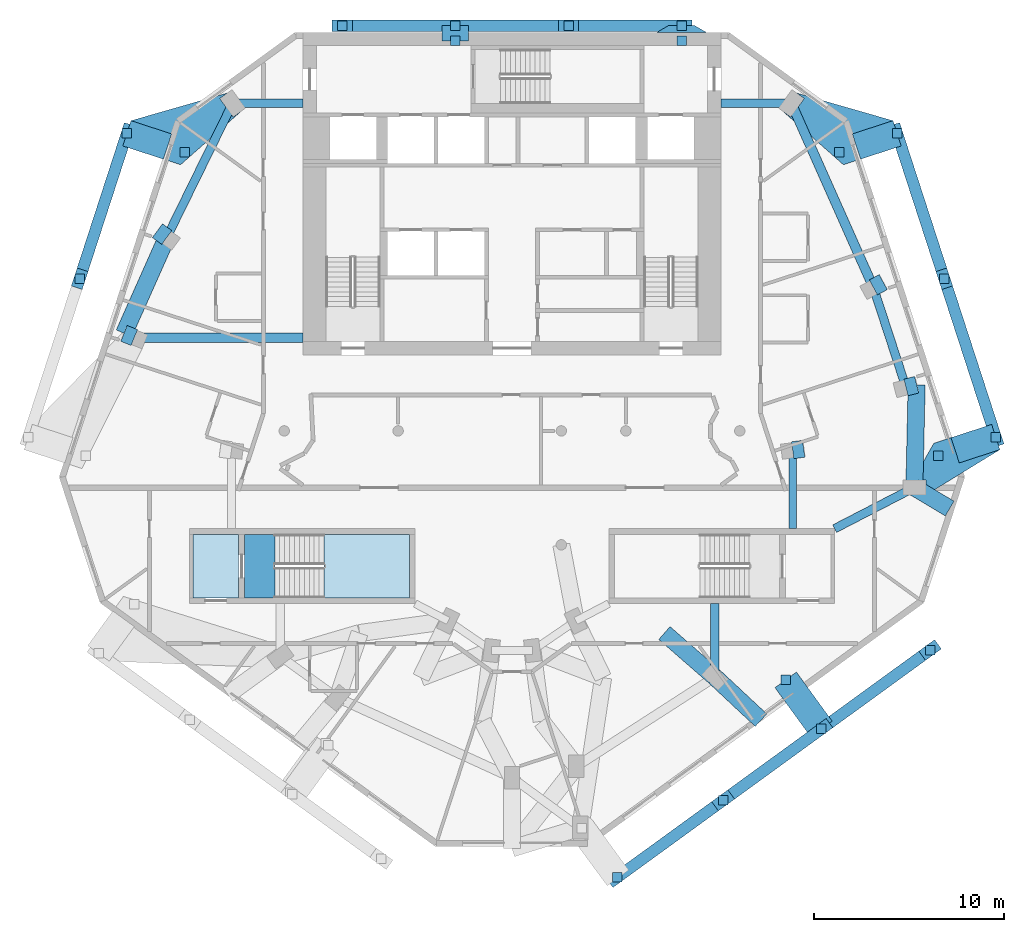
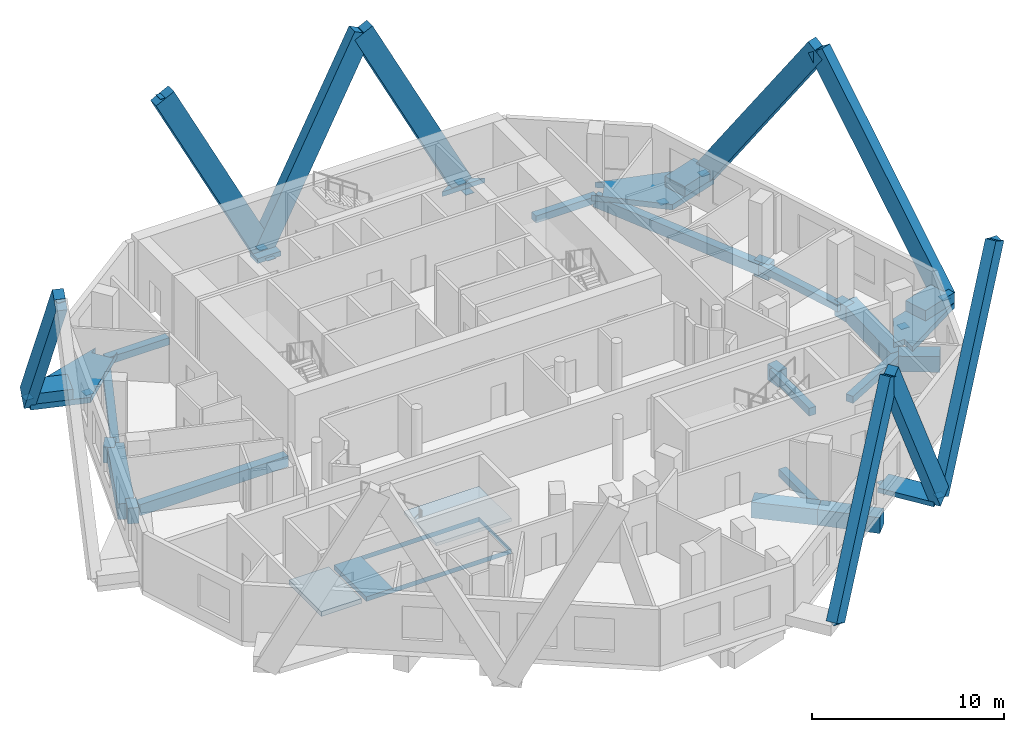
# One storey, part 2 of 10: 19 beams, 19 discrete accessories, 18 members, 3 slabs, 1 element without a shape of its own.
"""IFC4 building model written with IfcOpenShell, lengths in metres."""

from ifc_helpers import new_model, si_unit, direction, frame, origin, origin_2d, place, context, subcontext, project, spatial, polyline, rectangle, outline, extrude, material, layer, layer_set, material_profile, profile_set, type_object, element, aggregate, save


model = new_model("IFC4")

# Units and contexts
model_context = context("Model", 3, precision=1e-05, world=origin(), true_north=direction((0.0, 1.0)))
body_context = subcontext(model_context, "Body", "Model", "MODEL_VIEW")
ifc_project = project(units=[si_unit("LENGTHUNIT", "METRE"), si_unit("AREAUNIT", "SQUARE_METRE"), si_unit("VOLUMEUNIT", "CUBIC_METRE"), si_unit("PLANEANGLEUNIT", "RADIAN"), si_unit("MASSUNIT", "GRAM", prefix="KILO")], contexts=[model_context])

# Site, building, storey
site_placement = place(None, origin())
site = spatial("IfcSite", under=ifc_project, at=site_placement, CompositionType="ELEMENT")
building_placement = place(site_placement, origin())
building = spatial("IfcBuilding", under=site, at=building_placement, Name="White Candle Pilgrim Tower", CompositionType="ELEMENT")
storey_placement = place(building_placement, frame((0.0, 0.0, 248.300048828125)))
storey = spatial("IfcBuildingStorey", under=building, at=storey_placement, Name="L58", CompositionType="ELEMENT", Elevation=248.300048828125)

# Member
ifc_material_1 = material(Name="Concrete C60/75, white", Category="concrete")
ifc_material_profile_1 = material_profile(ifc_material_1, rectangle(XDim=0.60009765625, YDim=1.199951171875, at=origin_2d()), Name="RC-DG 600x1200")
ifc_profile_set_1 = profile_set([ifc_material_profile_1], Name="Concrete C60/75, white")
member_type_1 = type_object("IfcMemberType", Name="Exoskeleton diagonal RC-DG 600x1200 C60/75", PredefinedType="BRACE", material=ifc_profile_set_1)
member_1_placement = place(storey_placement, frame((78.93701171875, 88.35009765625, 0.0), z_axis=(-0.453783992732, 0.0, 0.891111714624), x_axis=(0.0, -1.0, 0.0)))
member_1 = element("IfcMember", 1, at=member_1_placement, inside=storey, type_object=member_type_1, Name="Exoskeleton diagonal EX241", PredefinedType="BRACE", context=body_context, shape_type="SweptSolid", body=[
    extrude(rectangle(XDim=0.60009765625, YDim=1.199951171875, at=origin_2d()), origin(), (0.0, 0.0, 1.0), 13.129638671875),
])

member_2_placement = place(storey_placement, frame((67.02099609375, 88.35009765625, 0.0), z_axis=(0.453783992732, 0.0, 0.891111714624), x_axis=(0.0, 1.0, 0.0)))
member_2 = element("IfcMember", 2, at=member_2_placement, inside=storey, type_object=member_type_1, Name="Exoskeleton diagonal EX242", PredefinedType="BRACE", context=body_context, shape_type="SweptSolid", body=[
    extrude(rectangle(XDim=0.60009765625, YDim=1.199951171875, at=origin_2d()), origin(), (0.0, 0.0, 1.0), 13.129638671875),
])

member_3_placement = place(storey_placement, frame((67.02099609375, 88.35009765625, 0.0), z_axis=(-0.453783992732, 0.0, 0.891111714624), x_axis=(0.0, -1.0, 0.0)))
member_3 = element("IfcMember", 3, at=member_3_placement, inside=storey, type_object=member_type_1, Name="Exoskeleton diagonal EX243", PredefinedType="BRACE", context=body_context, shape_type="SweptSolid", body=[
    extrude(rectangle(XDim=0.60009765625, YDim=1.199951171875, at=origin_2d()), origin(), (0.0, 0.0, 1.0), 13.129638671875),
])

member_4_placement = place(storey_placement, frame((95.488525390625, 66.675537109375, 0.0), z_axis=(-0.185370872025, 0.570504194179, 0.800101621189), x_axis=(-0.951055133428, -0.309021250372, 0.0)))
member_4 = element("IfcMember", 4, at=member_4_placement, inside=storey, type_object=member_type_1, Name="Exoskeleton diagonal EX253", PredefinedType="BRACE", context=body_context, shape_type="SweptSolid", body=[
    extrude(rectangle(XDim=0.60009765625, YDim=1.199951171875, at=origin_2d()), origin(), (0.0, 0.0, 1.0), 14.623046875),
])

member_5_placement = place(storey_placement, frame((90.288818359375, 82.678955078125, 0.0), z_axis=(0.175224760425, -0.539321015926, 0.823668091597), x_axis=(0.951062351894, 0.308999033671, 0.0)))
member_5 = element("IfcMember", 5, at=member_5_placement, inside=storey, type_object=member_type_1, Name="Exoskeleton diagonal EX254", PredefinedType="BRACE", context=body_context, shape_type="SweptSolid", body=[
    extrude(rectangle(XDim=0.60009765625, YDim=1.199951171875, at=origin_2d()), origin(), (0.0, 0.0, 1.0), 14.20458984375),
])

member_6_placement = place(storey_placement, frame((75.556640625, 43.488525390625, 0.449951171875), z_axis=(0.422157295588, 0.306732337774, 0.853052454862), x_axis=(-0.58780671138, 0.809001403, 0.0)))
member_6 = element("IfcMember", 6, at=member_6_placement, inside=storey, type_object=member_type_1, Name="Exoskeleton diagonal EX261", PredefinedType="BRACE", context=body_context, shape_type="SweptSolid", body=[
    extrude(rectangle(XDim=0.60009765625, YDim=1.199951171875, at=origin_2d()), origin(), (0.0, 0.0, 1.0), 13.18798828125),
])

member_7_placement = place(storey_placement, frame((86.302001953125, 51.295654296875, 0.0), z_axis=(-0.388266600008, -0.282087794782, 0.877311531529), x_axis=(0.587779248456, -0.809021356383, 0.0)))
member_7 = element("IfcMember", 7, at=member_7_placement, inside=storey, type_object=member_type_1, Name="Exoskeleton diagonal EX262", PredefinedType="BRACE", context=body_context, shape_type="SweptSolid", body=[
    extrude(rectangle(XDim=0.60009765625, YDim=1.199951171875, at=origin_2d()), origin(), (0.0, 0.0, 1.0), 13.336181640625),
])

member_8_placement = place(storey_placement, frame((86.302001953125, 51.295654296875, 0.0), z_axis=(0.418698213465, 0.304194518669, 0.855662024898), x_axis=(-0.587775716914, 0.809023922147, 0.0)))
member_8 = element("IfcMember", 8, at=member_8_placement, inside=storey, type_object=member_type_1, Name="Exoskeleton diagonal EX263", PredefinedType="BRACE", context=body_context, shape_type="SweptSolid", body=[
    extrude(rectangle(XDim=0.60009765625, YDim=1.199951171875, at=origin_2d()), origin(), (0.0, 0.0, 1.0), 13.673583984375),
])

member_9_placement = place(storey_placement, frame((49.711181640625, 82.678955078125, 0.0), z_axis=(-0.175224760425, -0.539321015926, 0.823668091597), x_axis=(0.951062351894, -0.308999033671, 0.0)))
member_9 = element("IfcMember", 9, at=member_9_placement, inside=storey, type_object=member_type_1, Name="Exoskeleton diagonal EX285", PredefinedType="BRACE", context=body_context, shape_type="SweptSolid", body=[
    extrude(rectangle(XDim=0.60009765625, YDim=1.199951171875, at=origin_2d()), origin(), (0.0, 0.0, 1.0), 14.20458984375),
])

ifc_material_2 = material(Name="Concrete C70/85, white", Category="concrete")
ifc_layer_1 = layer(ifc_material_2, 0.300048828125)
ifc_layer_set_1 = layer_set([ifc_layer_1], Name="Node tie strut 3200x1400x300 C70/85")
member_type_2 = type_object("IfcMemberType", Name="Node tie strut 3200x1400x300 C70/85", PredefinedType="STRUT", material=ifc_layer_set_1)
member_10_placement = place(storey_placement, frame((0.0, 0.0, -0.35009765625)))
member_10 = element("IfcMember", 10, at=member_10_placement, inside=storey, type_object=member_type_2, Name="Node tie strut NC202", PredefinedType="STRUT", context=body_context, shape_type="SweptSolid", body=[
    extrude(outline(polyline([(91.80029296875, 63.62060546875), (95.704833984375, 66.009765625), (95.272216796875, 67.34130859375), (92.22900390625, 66.352294921875), (91.12646484375, 64.419921875), (91.7998046875, 64.42041015625), (91.80029296875, 63.62060546875)])), origin(), (0.0, 0.0, 1.0), 0.35009765625),
])

member_11_placement = place(storey_placement, origin())
element("IfcMember", 11, at=member_11_placement, inside=storey, type_object=member_type_2, Name="Node tie strut NC202", PredefinedType="STRUT", context=body_context, shape_type="SweptSolid", body=[
    extrude(outline(polyline([(93.56494140625, 65.314453125), (95.704833984375, 66.009765625), (95.272216796875, 67.34130859375), (93.13232421875, 66.64599609375), (93.56494140625, 65.314453125)])), origin(), (0.0, 0.0, 1.0), 0.64990234375),
])

member_12_placement = place(storey_placement, frame((0.0, 0.0, -0.35009765625)))
member_12 = element("IfcMember", 12, at=member_12_placement, inside=storey, type_object=member_type_2, Name="Node tie strut NC203", PredefinedType="STRUT", context=body_context, shape_type="SweptSolid", body=[
    extrude(outline(polyline([(87.461669921875, 81.0244140625), (90.5048828125, 82.01318359375), (90.072509765625, 83.3447265625), (84.991455078125, 84.804443359375), (85.396240234375, 84.51025390625), (84.69091796875, 83.53955078125), (84.22998046875, 83.874267578125), (87.461669921875, 81.0244140625)])), origin(), (0.0, 0.0, 1.0), 0.35009765625),
])

member_13_placement = place(storey_placement, origin())
element("IfcMember", 13, at=member_13_placement, inside=storey, type_object=member_type_2, Name="Node tie strut NC203", PredefinedType="STRUT", context=body_context, shape_type="SweptSolid", body=[
    extrude(outline(polyline([(88.365234375, 81.318115234375), (90.5048828125, 82.01318359375), (90.072509765625, 83.3447265625), (87.9326171875, 82.6494140625), (88.365234375, 81.318115234375)])), origin(), (0.0, 0.0, 1.0), 0.64990234375),
])

member_14_placement = place(storey_placement, frame((85.361328125, 52.590087890625, -0.30029296875), z_axis=(0.0, 0.0, 1.0), x_axis=(0.809016994375, 0.587785252292, 0.0)))
member_14 = element("IfcMember", 14, at=member_14_placement, inside=storey, type_object=member_type_2, Name="Node tie strut NC207", PredefinedType="STRUT", context=body_context, shape_type="SweptSolid", body=[
    extrude(rectangle(XDim=1.39990234375, YDim=3.199951171875, at=origin_2d()), origin(), (0.0, 0.0, 1.0), 0.300048828125),
])

member_15_placement = place(storey_placement, frame((0.0, 0.0, -0.35009765625)))
member_15 = element("IfcMember", 15, at=member_15_placement, inside=storey, type_object=member_type_2, Name="Node tie strut NC211", PredefinedType="STRUT", context=body_context, shape_type="SweptSolid", body=[
    extrude(outline(polyline([(52.538330078125, 81.0244140625), (55.77001953125, 83.874267578125), (55.30908203125, 83.53955078125), (54.603759765625, 84.51025390625), (55.008544921875, 84.804443359375), (49.927490234375, 83.3447265625), (49.4951171875, 82.01318359375), (52.538330078125, 81.0244140625)])), origin(), (0.0, 0.0, 1.0), 0.35009765625),
])

member_16_placement = place(storey_placement, origin())
element("IfcMember", 16, at=member_16_placement, inside=storey, type_object=member_type_2, Name="Node tie strut NC211", PredefinedType="STRUT", context=body_context, shape_type="SweptSolid", body=[
    extrude(outline(polyline([(51.634765625, 81.318115234375), (52.0673828125, 82.6494140625), (49.927490234375, 83.3447265625), (49.4951171875, 82.01318359375), (51.634765625, 81.318115234375)])), origin(), (0.0, 0.0, 1.0), 0.64990234375),
])

ifc_layer_2 = layer(ifc_material_2, 0.300048828125)
ifc_layer_set_2 = layer_set([ifc_layer_2], Name="Node tie strut 800x1400x300 C70/85")
member_type_3 = type_object("IfcMemberType", Name="Node tie strut 800x1400x300 C70/85", PredefinedType="STRUT", material=ifc_layer_set_2)
member_17_placement = place(storey_placement, frame((0.0, 0.0, -0.300048828125)))
member_17 = element("IfcMember", 17, at=member_17_placement, inside=storey, type_object=member_type_3, Name="Node tie strut NC204", PredefinedType="STRUT", context=body_context, shape_type="SweptSolid", body=[
    extrude(outline(polyline([(77.636962890625, 88.0), (80.237060546875, 88.0), (79.636962890625, 88.35009765625), (78.237060546875, 88.35009765625), (77.636962890625, 88.0)])), origin(), (0.0, 0.0, 1.0), 0.300048828125),
])

member_18_placement = place(storey_placement, frame((67.02099609375, 87.949951171875, -0.30029296875), z_axis=(0.0, 0.0, 1.0), x_axis=(-1.0, 0.0, 0.0)))
member_18 = element("IfcMember", 18, at=member_18_placement, inside=storey, type_object=member_type_3, Name="Node tie strut NC205", PredefinedType="STRUT", context=body_context, shape_type="SweptSolid", body=[
    extrude(rectangle(XDim=1.39990234375, YDim=0.800048828125, at=origin_2d()), origin(), (0.0, 0.0, 1.0), 0.300048828125),
])

# Beams
ifc_material_3 = material(Name="Concrete C50/60", Category="concrete")
ifc_material_profile_2 = material_profile(ifc_material_3, rectangle(XDim=0.39990234375, YDim=0.5, at=origin_2d()), Name="RC-BM 400x500")
ifc_profile_set_2 = profile_set([ifc_material_profile_2], Name="Concrete C50/60")
beam_type_1 = type_object("IfcBeamType", Name="Ring beam RC-BM 400x500 C50/60", PredefinedType="BEAM", material=ifc_profile_set_2)
beam_1_placement = place(storey_placement, frame((84.7900390625, 65.97998046875, -0.550048828125), z_axis=(0.0, -1.0, 0.0), x_axis=(1.0, 0.0, 0.0)))
element("IfcBeam", 19, at=beam_1_placement, inside=storey, type_object=beam_type_1, Name="L58 ring beam R05", PredefinedType="BEAM", context=body_context, shape_type="SweptSolid", body=[
    extrude(rectangle(XDim=0.39990234375, YDim=0.5, at=origin_2d()), origin(), (0.0, 0.0, 1.0), 4.1298828125),
])
ifc_material_profile_3 = material_profile(ifc_material_3, rectangle(XDim=0.449951171875, YDim=0.449951171875, at=origin_2d()), Name="RC-BM 450x450")
ifc_profile_set_3 = profile_set([ifc_material_profile_3], Name="Concrete C50/60")
beam_type_2 = type_object("IfcBeamType", Name="Spandrel beam RC-BM 450x450 C50/60", PredefinedType="BEAM", material=ifc_profile_set_3)
beam_2_placement = place(storey_placement, frame((80.68994140625, 54.030029296875, -0.525146484375), z_axis=(0.0, 1.0, 0.0), x_axis=(-1.0, 0.0, 0.0)))
element("IfcBeam", 20, at=beam_2_placement, inside=storey, type_object=beam_type_2, Name="L58 spandrel beam T06", PredefinedType="BEAM", context=body_context, shape_type="SweptSolid", body=[
    extrude(rectangle(XDim=0.449951171875, YDim=0.449951171875, at=origin_2d()), origin(), (0.0, 0.0, 1.0), 3.869873046875),
])
beam_3_placement = place(storey_placement, frame((91.199951171875, 64.02001953125, -0.525146484375), z_axis=(-0.888430469958, -0.459011219961, 0.0), x_axis=(0.459011219961, -0.888430469958, 0.0)))
element("IfcBeam", 21, at=beam_3_placement, inside=storey, type_object=beam_type_2, Name="L58 spandrel beam T07", PredefinedType="BEAM", context=body_context, shape_type="SweptSolid", body=[
    extrude(rectangle(XDim=0.449951171875, YDim=0.449951171875, at=origin_2d()), origin(), (0.0, 0.0, 1.0), 4.727294921875),
])
beam_4_placement = place(storey_placement, frame((90.760009765625, 69.2900390625, -0.525146484375), z_axis=(-0.310262895274, 0.950650795937, 0.0), x_axis=(-0.950650795937, -0.310262895274, 0.0)))
element("IfcBeam", 22, at=beam_4_placement, inside=storey, type_object=beam_type_2, Name="L58 spandrel beam T09", PredefinedType="BEAM", context=body_context, shape_type="SweptSolid", body=[
    extrude(rectangle(XDim=0.449951171875, YDim=0.449951171875, at=origin_2d()), origin(), (0.0, 0.0, 1.0), 5.543701171875),
])
for number, where, z_axis, x_axis, name in (
    (23, (84.719970703125, 84.260009765625, -0.525146484375), (-1.0, 0.0, 0.0), (0.0, -1.0, 0.0), "L58 spandrel beam T11"),
    (24, (55.280029296875, 84.260009765625, -0.525146484375), (1.0, 0.0, 0.0), (0.0, 1.0, 0.0), "L58 spandrel beam T12"),
):
    element("IfcBeam", number, at=place(storey_placement, frame(where, z_axis=z_axis, x_axis=x_axis)), inside=storey, type_object=beam_type_2, Name=name, PredefinedType="BEAM", context=body_context, shape_type="SweptSolid", body=[
        extrude(rectangle(XDim=0.449951171875, YDim=0.449951171875, at=origin_2d()), origin(), (0.0, 0.0, 1.0), 3.719970703125),
    ])
beam_5_placement = place(storey_placement, frame((55.280029296875, 84.260009765625, -0.525146484375), z_axis=(-0.440592346375, -0.897707293229, 0.0), x_axis=(0.897707293229, -0.440592346375, 0.0)))
element("IfcBeam", 25, at=beam_5_placement, inside=storey, type_object=beam_type_2, Name="L58 spandrel beam T13", PredefinedType="BEAM", context=body_context, shape_type="SweptSolid", body=[
    extrude(rectangle(XDim=0.449951171875, YDim=0.449951171875, at=origin_2d()), origin(), (0.0, 0.0, 1.0), 7.875732421875),
])
ifc_material_profile_4 = material_profile(ifc_material_3, rectangle(XDim=0.5, YDim=0.699951171875, at=origin_2d()), Name="RC-BM 500x700")
ifc_profile_set_4 = profile_set([ifc_material_profile_4], Name="Concrete C50/60")
beam_type_3 = type_object("IfcBeamType", Name="Spandrel beam RC-BM 500x700 C50/60", PredefinedType="BEAM", material=ifc_profile_set_4)
beam_6_placement = place(storey_placement, frame((89.0400390625, 74.56005859375, -0.650146484375), z_axis=(-0.40684446171, 0.91349744607, 0.0), x_axis=(-0.91349744607, -0.40684446171, 0.0)))
element("IfcBeam", 26, at=beam_6_placement, inside=storey, type_object=beam_type_3, Name="L58 spandrel beam T10", PredefinedType="BEAM", context=body_context, shape_type="SweptSolid", body=[
    extrude(rectangle(XDim=0.5, YDim=0.699951171875, at=origin_2d()), origin(), (0.0, 0.0, 1.0), 10.618408203125),
])
beam_7_placement = place(storey_placement, frame((50.10009765625, 71.919921875, -0.650146484375), z_axis=(1.0, 0.0, 0.0), x_axis=(0.0, 1.0, 0.0)))
element("IfcBeam", 27, at=beam_7_placement, inside=storey, type_object=beam_type_3, Name="L58 spandrel beam T15", PredefinedType="BEAM", context=body_context, shape_type="SweptSolid", body=[
    extrude(rectangle(XDim=0.5, YDim=0.699951171875, at=origin_2d()), origin(), (0.0, 0.0, 1.0), 8.89990234375),
])
ifc_material_profile_5 = material_profile(ifc_material_3, rectangle(XDim=0.89990234375, YDim=1.0, at=origin_2d()), Name="RC-BM 900x1000")
ifc_profile_set_5 = profile_set([ifc_material_profile_5], Name="Concrete C50/60")
beam_type_4 = type_object("IfcBeamType", Name="Transfer girder RC-BM 900x1000 C50/60", PredefinedType="BEAM", material=ifc_profile_set_5)
beam_8_placement = place(storey_placement, frame((83.1201171875, 51.760009765625, -0.800048828125), z_axis=(-0.730776891563, 0.682616389166, 0.0), x_axis=(-0.682616389166, -0.730776891563, 0.0)))
element("IfcBeam", 28, at=beam_8_placement, inside=storey, type_object=beam_type_4, Name="L58 transfer girder X13", PredefinedType="BEAM", context=body_context, shape_type="SweptSolid", body=[
    extrude(rectangle(XDim=0.89990234375, YDim=1.0, at=origin_2d()), origin(), (0.0, 0.0, 1.0), 3.325439453125),
])
beam_9_placement = place(storey_placement, frame((80.68994140625, 54.030029296875, -0.800048828125), z_axis=(-0.753608424095, 0.65732362131, 0.0), x_axis=(-0.65732362131, -0.753608424095, 0.0)))
element("IfcBeam", 29, at=beam_9_placement, inside=storey, type_object=beam_type_4, Name="L58 transfer girder X14", PredefinedType="BEAM", context=body_context, shape_type="SweptSolid", body=[
    extrude(rectangle(XDim=0.89990234375, YDim=1.0, at=origin_2d()), origin(), (0.0, 0.0, 1.0), 3.529541015625),
])
beam_10_placement = place(storey_placement, frame((93.06005859375, 62.909912109375, -0.800048828125), z_axis=(-0.858703783945, 0.512472254311, 0.0), x_axis=(-0.512472254311, -0.858703783945, 0.0)))
element("IfcBeam", 30, at=beam_10_placement, inside=storey, type_object=beam_type_4, Name="L58 transfer girder X21", PredefinedType="BEAM", context=body_context, shape_type="SweptSolid", body=[
    extrude(rectangle(XDim=0.89990234375, YDim=1.0, at=origin_2d()), origin(), (0.0, 0.0, 1.0), 2.166259765625),
])
beam_11_placement = place(storey_placement, frame((91.199951171875, 64.02001953125, -0.800048828125), z_axis=(0.022197697169, 0.999753600764, 0.0), x_axis=(-0.999753600764, 0.022197697169, 0.0)))
element("IfcBeam", 31, at=beam_11_placement, inside=storey, type_object=beam_type_4, Name="L58 transfer girder X22", PredefinedType="BEAM", context=body_context, shape_type="SweptSolid", body=[
    extrude(rectangle(XDim=0.89990234375, YDim=1.0, at=origin_2d()), origin(), (0.0, 0.0, 1.0), 5.4111328125),
])
beam_12_placement = place(storey_placement, frame((51.320068359375, 77.550048828125, -0.800048828125), z_axis=(0.805791883575, -0.592198818273, 0.0), x_axis=(0.592198818273, 0.805791883575, 0.0)))
element("IfcBeam", 32, at=beam_12_placement, inside=storey, type_object=beam_type_4, Name="L58 transfer girder X23", PredefinedType="BEAM", context=body_context, shape_type="SweptSolid", body=[
    extrude(rectangle(XDim=0.89990234375, YDim=1.0, at=origin_2d()), origin(), (0.0, 0.0, 1.0), 0.608154296875),
])
beam_13_placement = place(storey_placement, frame((51.81005859375, 77.18994140625, -0.800048828125), z_axis=(-0.406974140277, -0.913439680081, 0.0), x_axis=(0.913439680081, -0.406974140277, 0.0)))
element("IfcBeam", 33, at=beam_13_placement, inside=storey, type_object=beam_type_4, Name="L58 transfer girder X24", PredefinedType="BEAM", context=body_context, shape_type="SweptSolid", body=[
    extrude(rectangle(XDim=0.89990234375, YDim=1.0, at=origin_2d()), origin(), (0.0, 0.0, 1.0), 5.528564453125),
])
beam_14_placement = place(storey_placement, frame((89.56005859375, 74.840087890625, -0.800048828125), z_axis=(-0.880457826534, -0.474124472786, 0.0), x_axis=(0.474124472786, -0.880457826534, 0.0)))
element("IfcBeam", 34, at=beam_14_placement, inside=storey, type_object=beam_type_4, Name="L58 transfer girder X26", PredefinedType="BEAM", context=body_context, shape_type="SweptSolid", body=[
    extrude(rectangle(XDim=0.89990234375, YDim=1.0, at=origin_2d()), origin(), (0.0, 0.0, 1.0), 0.590576171875),
])
beam_15_placement = place(storey_placement, frame((85.3701171875, 66.06005859375, -0.800048828125), z_axis=(-0.990605555149, -0.136750261822, 0.0), x_axis=(0.136750261822, -0.990605555149, 0.0)))
element("IfcBeam", 35, at=beam_15_placement, inside=storey, type_object=beam_type_4, Name="L58 transfer girder X27", PredefinedType="BEAM", context=body_context, shape_type="SweptSolid", body=[
    extrude(rectangle(XDim=0.89990234375, YDim=1.0, at=origin_2d()), origin(), (0.0, 0.0, 1.0), 0.585693359375),
])
beam_16_placement = place(storey_placement, frame((49.56005859375, 72.139892578125, -0.800048828125), z_axis=(0.92611944842, -0.377230390157, 0.0), x_axis=(0.377230390157, 0.92611944842, 0.0)))
element("IfcBeam", 36, at=beam_16_placement, inside=storey, type_object=beam_type_4, Name="L58 transfer girder X28", PredefinedType="BEAM", context=body_context, shape_type="SweptSolid", body=[
    extrude(rectangle(XDim=0.89990234375, YDim=1.0, at=origin_2d()), origin(), (0.0, 0.0, 1.0), 0.5830078125),
])
beam_17_placement = place(storey_placement, frame((91.320068359375, 69.429931640625, -0.800048828125), z_axis=(-0.97019223573, -0.242336595934, 0.0), x_axis=(0.242336595934, -0.97019223573, 0.0)))
element("IfcBeam", 37, at=beam_17_placement, inside=storey, type_object=beam_type_4, Name="L58 transfer girder X29", PredefinedType="BEAM", context=body_context, shape_type="SweptSolid", body=[
    extrude(rectangle(XDim=0.89990234375, YDim=1.0, at=origin_2d()), origin(), (0.0, 0.0, 1.0), 0.5771484375),
])

# Slabs
ifc_material_4 = material(Name="Concrete C40/50", Category="concrete")
ifc_layer_3 = layer(ifc_material_4, 0.300048828125)
ifc_layer_set_3 = layer_set([ifc_layer_3], Name="Core floor slab 300 mm Concrete C40/50")
slab_type_1 = type_object("IfcSlabType", Name="Core floor slab 300 mm Concrete C40/50", PredefinedType="FLOOR", material=ifc_layer_set_3)
slab_1_placement = place(storey_placement, frame((0.0, 0.0, -0.300048828125)))
element("IfcSlab", 38, at=slab_1_placement, inside=storey, type_object=slab_type_1, Name="CF-L58-01", PredefinedType="FLOOR", context=body_context, shape_type="SweptSolid", body=[
    extrude(outline(polyline([(55.60009765625, 58.199951171875), (53.199951171875, 58.199951171875), (53.199951171875, 61.550048828125), (55.60009765625, 61.550048828125), (55.60009765625, 58.199951171875)])), origin(), (0.0, 0.0, 1.0), 0.300048828125),
])
slab_2_placement = place(storey_placement, frame((0.0, 0.0, -0.300048828125)))
element("IfcSlab", 39, at=slab_2_placement, inside=storey, type_object=slab_type_1, Name="CF-L58-02", PredefinedType="FLOOR", context=body_context, shape_type="SweptSolid", body=[
    extrude(outline(polyline([(55.89990234375, 58.199951171875), (55.89990234375, 61.550048828125), (64.60009765625, 61.550048828125), (64.60009765625, 58.199951171875), (55.89990234375, 58.199951171875)]), holes=[polyline([(57.501953125, 61.548095703125), (57.501953125, 58.201904296875), (64.597900390625, 58.201904296875), (64.597900390625, 61.548095703125), (57.501953125, 61.548095703125)])]), origin(), (0.0, 0.0, 1.0), 0.300048828125),
])

# Stair, slab
stair_type = type_object("IfcStairType", Name="Exit stair 5 flight width 1600 mm", PredefinedType="HALF_TURN_STAIR", material=ifc_material_4)
stair_placement = place(storey_placement, origin())
stair = element("IfcStair", 40, at=stair_placement, inside=storey, type_object=stair_type, Name="L58 stair 5", PredefinedType="NOTDEFINED")
ifc_layer_4 = layer(ifc_material_4, 0.199951171875)
ifc_layer_set_4 = layer_set([ifc_layer_4], Name="Stair landing Concrete C40/50")
slab_type_2 = type_object("IfcSlabType", Name="Stair landing Concrete C40/50", PredefinedType="LANDING", material=ifc_layer_set_4)
slab_3_placement = place(storey_placement, frame((0.0, 0.0, 1.75)))
slab_3 = element("IfcSlab", 41, at=slab_3_placement, type_object=slab_type_2, Name="ST5 landing 1", PredefinedType="LANDING", context=body_context, shape_type="SweptSolid", body=[
    extrude(outline(polyline([(60.097900390625, 58.197998046875), (60.097900390625, 61.552001953125), (64.60205078125, 61.552001953125), (64.60205078125, 58.197998046875), (60.097900390625, 58.197998046875)])), origin(), (0.0, 0.0, 1.0), 0.199951171875),
])
aggregate(stair, [slab_3])

# Discrete accessory
ifc_material_5 = material(Name="Steel S355", Category="steel")
ifc_layer_5 = layer(ifc_material_5, 0.02490234375)
ifc_layer_set_5 = layer_set([ifc_layer_5], Name="Gusset plate 500x500x25 S355")
discrete_accessory_type = type_object("IfcDiscreteAccessoryType", Name="Gusset plate 500x500x25 S355", PredefinedType="BRACKET", material=ifc_layer_set_5)
discrete_accessory_1_placement = place(storey_placement, frame((78.93701171875, 88.35009765625, -0.012451171875), z_axis=(0.0, 0.0, 1.0), x_axis=(1.0, 0.0, 0.0)))
discrete_accessory_1 = element("IfcDiscreteAccessory", 42, at=discrete_accessory_1_placement, type_object=discrete_accessory_type, Name="Gusset plate 0281", PredefinedType="BRACKET", context=body_context, shape_type="SweptSolid", body=[
    extrude(rectangle(XDim=0.5, YDim=0.5, at=origin_2d()), origin(), (0.0, 0.0, 1.0), 0.02490234375),
])

placement = place(building_placement, frame((0.0, 0.0, 260.0)))
discrete_accessory_2_placement = place(placement, frame((72.97900390625, 88.35009765625, -0.012451171875), z_axis=(0.0, 0.0, 1.0), x_axis=(1.0, 0.0, 0.0)))
discrete_accessory_2 = element("IfcDiscreteAccessory", 43, at=discrete_accessory_2_placement, type_object=discrete_accessory_type, Name="Gusset plate 0282", PredefinedType="BRACKET", context=body_context, shape_type="SweptSolid", body=[
    extrude(rectangle(XDim=0.5, YDim=0.5, at=origin_2d()), origin(), (0.0, 0.0, 1.0), 0.02490234375),
])

aggregate(member_1, [discrete_accessory_1, discrete_accessory_2])

discrete_accessory_3_placement = place(storey_placement, frame((67.02099609375, 88.35009765625, -0.012451171875), z_axis=(0.0, 0.0, 1.0), x_axis=(1.0, 0.0, 0.0)))
discrete_accessory_3 = element("IfcDiscreteAccessory", 44, at=discrete_accessory_3_placement, type_object=discrete_accessory_type, Name="Gusset plate 0283", PredefinedType="BRACKET", context=body_context, shape_type="SweptSolid", body=[
    extrude(rectangle(XDim=0.5, YDim=0.5, at=origin_2d()), origin(), (0.0, 0.0, 1.0), 0.02490234375),
])

aggregate(member_2, [discrete_accessory_3])

discrete_accessory_4_placement = place(placement, frame((61.06298828125, 88.35009765625, -0.012451171875), z_axis=(0.0, 0.0, 1.0), x_axis=(1.0, 0.0, 0.0)))
discrete_accessory_4 = element("IfcDiscreteAccessory", 45, at=discrete_accessory_4_placement, type_object=discrete_accessory_type, Name="Gusset plate 0284", PredefinedType="BRACKET", context=body_context, shape_type="SweptSolid", body=[
    extrude(rectangle(XDim=0.5, YDim=0.5, at=origin_2d()), origin(), (0.0, 0.0, 1.0), 0.02490234375),
])

aggregate(member_3, [discrete_accessory_4])

discrete_accessory_5_placement = place(storey_placement, frame((95.488525390625, 66.675537109375, -0.012451171875), z_axis=(0.0, 0.0, 1.0), x_axis=(1.0, 0.0, 0.0)))
discrete_accessory_5 = element("IfcDiscreteAccessory", 46, at=discrete_accessory_5_placement, type_object=discrete_accessory_type, Name="Gusset plate 0291", PredefinedType="BRACKET", context=body_context, shape_type="SweptSolid", body=[
    extrude(rectangle(XDim=0.5, YDim=0.5, at=origin_2d()), origin(), (0.0, 0.0, 1.0), 0.02490234375),
])

discrete_accessory_6_placement = place(placement, frame((92.77783203125, 75.01806640625, -0.012451171875), z_axis=(0.0, 0.0, 1.0), x_axis=(1.0, 0.0, 0.0)))
discrete_accessory_6 = element("IfcDiscreteAccessory", 47, at=discrete_accessory_6_placement, type_object=discrete_accessory_type, Name="Gusset plate 0292", PredefinedType="BRACKET", context=body_context, shape_type="SweptSolid", body=[
    extrude(rectangle(XDim=0.5, YDim=0.5, at=origin_2d()), origin(), (0.0, 0.0, 1.0), 0.02490234375),
])

aggregate(member_4, [discrete_accessory_5, discrete_accessory_6])

discrete_accessory_7_placement = place(storey_placement, frame((90.288818359375, 82.678955078125, -0.012451171875), z_axis=(0.0, 0.0, 1.0), x_axis=(1.0, 0.0, 0.0)))
discrete_accessory_7 = element("IfcDiscreteAccessory", 48, at=discrete_accessory_7_placement, type_object=discrete_accessory_type, Name="Gusset plate 0293", PredefinedType="BRACKET", context=body_context, shape_type="SweptSolid", body=[
    extrude(rectangle(XDim=0.5, YDim=0.5, at=origin_2d()), origin(), (0.0, 0.0, 1.0), 0.02490234375),
])

aggregate(member_5, [discrete_accessory_7])

discrete_accessory_8_placement = place(storey_placement, frame((75.556640625, 43.488525390625, 0.4375), z_axis=(0.0, 0.0, 1.0), x_axis=(1.0, 0.0, 0.0)))
discrete_accessory_8 = element("IfcDiscreteAccessory", 49, at=discrete_accessory_8_placement, type_object=discrete_accessory_type, Name="Gusset plate 0303", PredefinedType="BRACKET", context=body_context, shape_type="SweptSolid", body=[
    extrude(rectangle(XDim=0.5, YDim=0.5, at=origin_2d()), origin(), (0.0, 0.0, 1.0), 0.02490234375),
])

discrete_accessory_9_placement = place(placement, frame((81.1240234375, 47.53369140625, -0.012451171875), z_axis=(0.0, 0.0, 1.0), x_axis=(1.0, 0.0, 0.0)))
discrete_accessory_9 = element("IfcDiscreteAccessory", 50, at=discrete_accessory_9_placement, type_object=discrete_accessory_type, Name="Gusset plate 0304", PredefinedType="BRACKET", context=body_context, shape_type="SweptSolid", body=[
    extrude(rectangle(XDim=0.5, YDim=0.5, at=origin_2d()), origin(), (0.0, 0.0, 1.0), 0.02490234375),
])

aggregate(member_6, [discrete_accessory_8, discrete_accessory_9])

discrete_accessory_10_placement = place(storey_placement, frame((86.302001953125, 51.295654296875, -0.012451171875), z_axis=(0.0, 0.0, 1.0), x_axis=(1.0, 0.0, 0.0)))
discrete_accessory_10 = element("IfcDiscreteAccessory", 51, at=discrete_accessory_10_placement, type_object=discrete_accessory_type, Name="Gusset plate 0305", PredefinedType="BRACKET", context=body_context, shape_type="SweptSolid", body=[
    extrude(rectangle(XDim=0.5, YDim=0.5, at=origin_2d()), origin(), (0.0, 0.0, 1.0), 0.02490234375),
])

aggregate(member_7, [discrete_accessory_10])

discrete_accessory_11_placement = place(placement, frame((92.027099609375, 55.455078125, -0.012451171875), z_axis=(0.0, 0.0, 1.0), x_axis=(1.0, 0.0, 0.0)))
discrete_accessory_11 = element("IfcDiscreteAccessory", 52, at=discrete_accessory_11_placement, type_object=discrete_accessory_type, Name="Gusset plate 0306", PredefinedType="BRACKET", context=body_context, shape_type="SweptSolid", body=[
    extrude(rectangle(XDim=0.5, YDim=0.5, at=origin_2d()), origin(), (0.0, 0.0, 1.0), 0.02490234375),
])

aggregate(member_8, [discrete_accessory_11])

discrete_accessory_12_placement = place(storey_placement, frame((49.711181640625, 82.678955078125, -0.012451171875), z_axis=(0.0, 0.0, 1.0), x_axis=(1.0, 0.0, 0.0)))
discrete_accessory_12 = element("IfcDiscreteAccessory", 53, at=discrete_accessory_12_placement, type_object=discrete_accessory_type, Name="Gusset plate 0336", PredefinedType="BRACKET", context=body_context, shape_type="SweptSolid", body=[
    extrude(rectangle(XDim=0.5, YDim=0.5, at=origin_2d()), origin(), (0.0, 0.0, 1.0), 0.02490234375),
])

discrete_accessory_13_placement = place(placement, frame((47.22216796875, 75.01806640625, -0.012451171875), z_axis=(0.0, 0.0, 1.0), x_axis=(1.0, 0.0, 0.0)))
discrete_accessory_13 = element("IfcDiscreteAccessory", 54, at=discrete_accessory_13_placement, type_object=discrete_accessory_type, Name="Gusset plate 0337", PredefinedType="BRACKET", context=body_context, shape_type="SweptSolid", body=[
    extrude(rectangle(XDim=0.5, YDim=0.5, at=origin_2d()), origin(), (0.0, 0.0, 1.0), 0.02490234375),
])

aggregate(member_9, [discrete_accessory_12, discrete_accessory_13])

discrete_accessory_14_placement = place(storey_placement, frame((92.4453125, 65.686767578125, -0.16259765625), z_axis=(0.0, 0.0, 1.0), x_axis=(1.0, 0.0, 0.0)))
discrete_accessory_14 = element("IfcDiscreteAccessory", 55, at=discrete_accessory_14_placement, type_object=discrete_accessory_type, Name="Gusset plate 0583", PredefinedType="BRACKET", context=body_context, shape_type="SweptSolid", body=[
    extrude(rectangle(XDim=0.5, YDim=0.5, at=origin_2d()), origin(), (0.0, 0.0, 1.0), 0.02490234375),
])

aggregate(member_10, [discrete_accessory_14])

discrete_accessory_15_placement = place(storey_placement, frame((87.245361328125, 81.690185546875, -0.16259765625), z_axis=(0.0, 0.0, 1.0), x_axis=(1.0, 0.0, 0.0)))
discrete_accessory_15 = element("IfcDiscreteAccessory", 56, at=discrete_accessory_15_placement, type_object=discrete_accessory_type, Name="Gusset plate 0584", PredefinedType="BRACKET", context=body_context, shape_type="SweptSolid", body=[
    extrude(rectangle(XDim=0.5, YDim=0.5, at=origin_2d()), origin(), (0.0, 0.0, 1.0), 0.02490234375),
])

aggregate(member_12, [discrete_accessory_15])

discrete_accessory_16_placement = place(storey_placement, frame((78.93701171875, 87.550048828125, -0.16259765625), z_axis=(0.0, 0.0, 1.0), x_axis=(1.0, 0.0, 0.0)))
discrete_accessory_16 = element("IfcDiscreteAccessory", 57, at=discrete_accessory_16_placement, type_object=discrete_accessory_type, Name="Gusset plate 0585", PredefinedType="BRACKET", context=body_context, shape_type="SweptSolid", body=[
    extrude(rectangle(XDim=0.5, YDim=0.5, at=origin_2d()), origin(), (0.0, 0.0, 1.0), 0.02490234375),
])

aggregate(member_17, [discrete_accessory_16])

discrete_accessory_17_placement = place(storey_placement, frame((67.02099609375, 87.550048828125, -0.16259765625), z_axis=(0.0, 0.0, 1.0), x_axis=(1.0, 0.0, 0.0)))
discrete_accessory_17 = element("IfcDiscreteAccessory", 58, at=discrete_accessory_17_placement, type_object=discrete_accessory_type, Name="Gusset plate 0586", PredefinedType="BRACKET", context=body_context, shape_type="SweptSolid", body=[
    extrude(rectangle(XDim=0.5, YDim=0.5, at=origin_2d()), origin(), (0.0, 0.0, 1.0), 0.02490234375),
])

aggregate(member_18, [discrete_accessory_17])

discrete_accessory_18_placement = place(storey_placement, frame((84.4208984375, 53.884521484375, -0.16259765625), z_axis=(0.0, 0.0, 1.0), x_axis=(1.0, 0.0, 0.0)))
discrete_accessory_18 = element("IfcDiscreteAccessory", 59, at=discrete_accessory_18_placement, type_object=discrete_accessory_type, Name="Gusset plate 0588", PredefinedType="BRACKET", context=body_context, shape_type="SweptSolid", body=[
    extrude(rectangle(XDim=0.5, YDim=0.5, at=origin_2d()), origin(), (0.0, 0.0, 1.0), 0.02490234375),
])

aggregate(member_14, [discrete_accessory_18])

discrete_accessory_19_placement = place(storey_placement, frame((52.754638671875, 81.690185546875, -0.16259765625), z_axis=(0.0, 0.0, 1.0), x_axis=(1.0, 0.0, 0.0)))
discrete_accessory_19 = element("IfcDiscreteAccessory", 60, at=discrete_accessory_19_placement, type_object=discrete_accessory_type, Name="Gusset plate 0592", PredefinedType="BRACKET", context=body_context, shape_type="SweptSolid", body=[
    extrude(rectangle(XDim=0.5, YDim=0.5, at=origin_2d()), origin(), (0.0, 0.0, 1.0), 0.02490234375),
])

aggregate(member_15, [discrete_accessory_19])

save(model, "model.ifc")
